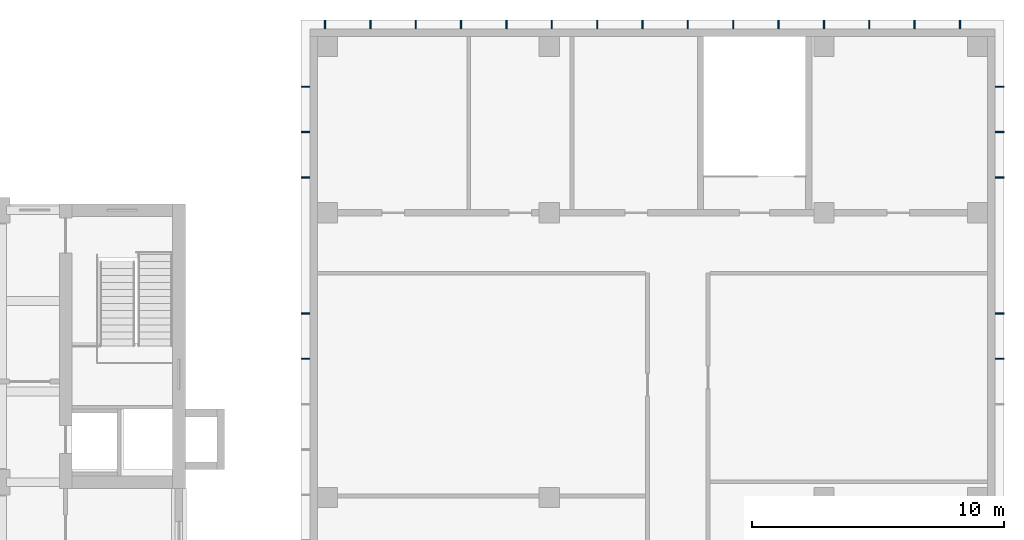
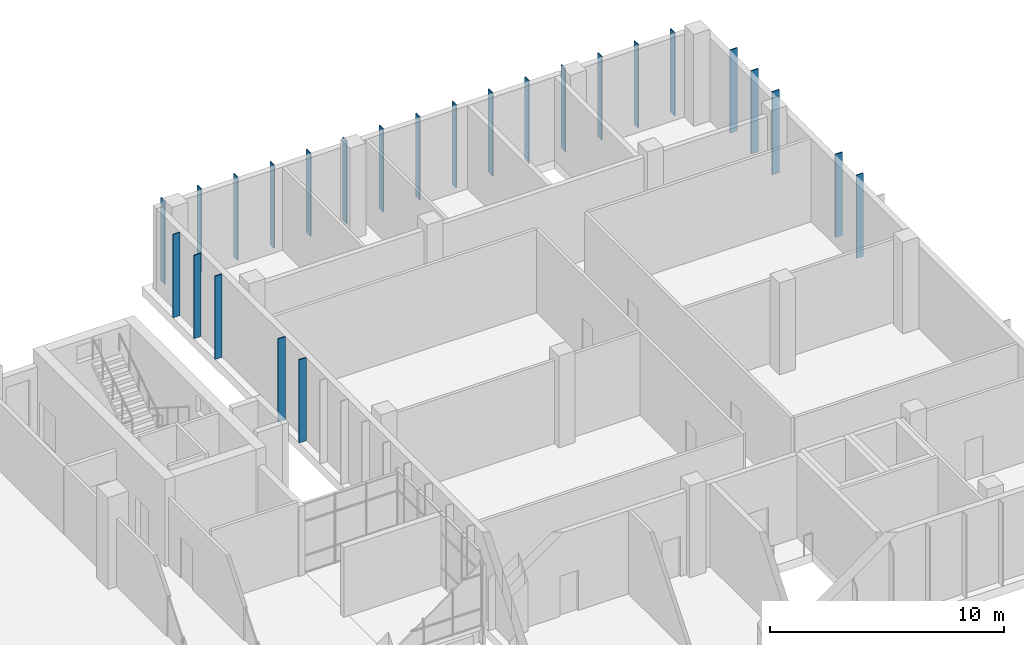
# One storey, part 23 of 45: 25 members.
"""IFC4 building model written with IfcOpenShell, lengths in metres."""

import ifcopenshell
import ifcopenshell.guid

model = None  # the IFC model being written
_history = None  # IfcOwnerHistory: only IFC2X3 demands one
_inside = {}  # id of a spatial element -> (the spatial element, [elements in it])
_under = {}  # id of a project, library or spatial element -> (it, [spatial elements below it])
_declared = {}  # id of a project -> (the project, [libraries it declares])
_typed = {}  # id of a type object -> (the type object, [elements of that type])
_made_of = {}  # id of a material, layer set ... -> (it, [elements and type objects made of it])


def new_model(schema):
    """Start an empty IFC model of exactly this schema.

    Asked for "IFC4X3", IfcOpenShell would pick the latest addendum, in which some entities
    have other attributes; the version numbers below select the first issue.
    IFC2X3 requires an IfcOwnerHistory on every rooted entity: one is made here for all.
    """
    global model, _history
    if schema == "IFC4X3":
        model = ifcopenshell.file(schema_version=(4, 3, 0, 0))
    else:
        model = ifcopenshell.file(schema=schema)
    _inside.clear()
    _under.clear()
    _declared.clear()
    _typed.clear()
    _made_of.clear()
    _history = None
    if model.schema == "IFC2X3":
        org = make("IfcOrganization", Name="unknown")
        user = make(
            "IfcPersonAndOrganization",
            ThePerson=make("IfcPerson", FamilyName="unknown"),
            TheOrganization=org,
        )
        app = make(
            "IfcApplication",
            ApplicationDeveloper=org,
            Version="unknown",
            ApplicationFullName="unknown",
            ApplicationIdentifier="unknown",
        )
        _history = make(
            "IfcOwnerHistory",
            OwningUser=user,
            OwningApplication=app,
            ChangeAction="ADDED",
            CreationDate=0,
        )
    return model


def make(cls, **values):
    """One entity of the class cls with the attributes given. An attribute that is None is left unset."""
    return model.create_entity(
        cls, **{name: value for name, value in values.items() if value is not None}
    )


def rooted(cls, **values):
    """An entity with a GlobalId (a new one), such as an element, a storey or a relation."""
    return make(cls, GlobalId=ifcopenshell.guid.new(), OwnerHistory=_history, **values)


def si_unit(unit_type, name, prefix=None):
    """IfcSIUnit, for example si_unit("LENGTHUNIT", "METRE", prefix="MILLI")."""
    return make("IfcSIUnit", UnitType=unit_type, Prefix=prefix, Name=name)


def assignment(units):
    """IfcUnitAssignment: the units of a project."""
    return None if units is None else make("IfcUnitAssignment", Units=units)


def point(xyz):
    """IfcCartesianPoint."""
    return None if xyz is None else make("IfcCartesianPoint", Coordinates=xyz)


def direction(xyz):
    """IfcDirection."""
    return None if xyz is None else make("IfcDirection", DirectionRatios=xyz)


def frame(location, z_axis=None, x_axis=None):
    """IfcAxis2Placement3D, a coordinate frame: its origin and axes. An axis left out is left unset."""
    return make(
        "IfcAxis2Placement3D",
        Location=point(location),
        Axis=direction(z_axis),
        RefDirection=direction(x_axis),
    )


def frame_2d(location, x_axis=None):
    """IfcAxis2Placement2D, a coordinate frame in the plane: its origin and x axis."""
    return make(
        "IfcAxis2Placement2D", Location=point(location), RefDirection=direction(x_axis)
    )


def origin():
    """The frame at (0, 0, 0) with its axes left unset."""
    return frame((0.0, 0.0, 0.0))


def origin_2d():
    """The frame at (0, 0) in the plane with its x axis left unset."""
    return frame_2d((0.0, 0.0))


def place(relative_to, where):
    """IfcLocalPlacement: puts the frame where relative to a parent placement (None: the world)."""
    return make(
        "IfcLocalPlacement", PlacementRelTo=relative_to, RelativePlacement=where
    )


def context(
    kind, dimensions, precision=None, world=None, true_north=None, identifier=None
):
    """IfcGeometricRepresentationContext, for example the 3D "Model" context."""
    return make(
        "IfcGeometricRepresentationContext",
        ContextIdentifier=identifier,
        ContextType=kind,
        CoordinateSpaceDimension=dimensions,
        Precision=precision,
        WorldCoordinateSystem=world,
        TrueNorth=true_north,
    )


def subcontext(parent, identifier, kind, view, scale=None):
    """IfcGeometricRepresentationSubContext, for example "Body" below "Model"."""
    return make(
        "IfcGeometricRepresentationSubContext",
        ContextIdentifier=identifier,
        ContextType=kind,
        ParentContext=parent,
        TargetScale=scale,
        TargetView=view,
    )


def project(units=None, contexts=None):
    """IfcProject with its units and contexts."""
    return rooted(
        "IfcProject",
        Name="project",
        RepresentationContexts=contexts,
        UnitsInContext=assignment(units),
    )


def spatial(cls, under=None, at=None, **own):
    """A site, building, storey or space (cls), placed at a placement, below another one or the project."""
    s = rooted(cls, ObjectPlacement=at, **own)
    if under is not None:
        _under.setdefault(under.id(), (under, []))[1].append(s)
    return s


def profile(cls, at=None, kind="AREA", **sizes):
    """A parametric profile (cls). Its sizes go by their IFC names, for example OverallWidth=200.0."""
    return make(cls, ProfileType=kind, Position=at, **sizes)


def rectangle(**sizes):
    """IfcRectangleProfileDef."""
    return profile("IfcRectangleProfileDef", **sizes)


def extrude(swept, where, along, depth):
    """IfcExtrudedAreaSolid: the profile swept, set in the frame where, extruded along a direction by depth."""
    return make(
        "IfcExtrudedAreaSolid",
        SweptArea=swept,
        Position=where,
        ExtrudedDirection=direction(along),
        Depth=depth,
    )


def shape(context_of_items, identifier, shape_type, items):
    """IfcShapeRepresentation: the items that make up one representation, for example the "Body"."""
    return make(
        "IfcShapeRepresentation",
        ContextOfItems=context_of_items,
        RepresentationIdentifier=identifier,
        RepresentationType=shape_type,
        Items=items,
    )


def material(Name=None, Category=None):
    """IfcMaterial."""
    return make("IfcMaterial", Name=Name, Category=Category)


def material_profile(
    of_material, cross_section, Name=None, Category=None, Priority=None
):
    """IfcMaterialProfile: a cross section and its material."""
    return make(
        "IfcMaterialProfile",
        Name=Name,
        Material=of_material,
        Profile=cross_section,
        Priority=Priority,
        Category=Category,
    )


def profile_set(profiles, Name=None, composite=None):
    """IfcMaterialProfileSet."""
    return make(
        "IfcMaterialProfileSet",
        Name=Name,
        MaterialProfiles=profiles,
        CompositeProfile=composite,
    )


def made_of(thing, what):
    """Note that an element or type object is made of a material, layer set ...; save() writes the relation."""
    if what is not None:
        _made_of.setdefault(what.id(), (what, []))[1].append(thing)
    return thing


def type_object(cls, material=None, **own):
    """A type object (cls), such as IfcWallType, which elements share."""
    return made_of(rooted(cls, **own), material)


def element(
    cls,
    number,
    at=None,
    inside=None,
    cuts=None,
    type_object=None,
    material=None,
    context=None,
    identifier="Body",
    shape_type=None,
    held_by="IfcProductDefinitionShape",
    body=None,
    shapes=None,
    **own,
):
    """One element of the class cls, such as IfcWall. Its Tag is "e" and its number.

    at: its placement. inside: the storey or other place that contains it. cuts: it is an
    opening in that element (IfcRelVoidsElement). A single representation is given by context,
    identifier, shape_type and body (its items); several are given by shapes. held_by: the class
    of the entity that holds the representations. save() writes the other relations.
    """
    e = rooted(cls, Tag="e%d" % number, ObjectPlacement=at, **own)
    if body is not None:
        shapes = [shape(context, identifier, shape_type, body)]
    if shapes is not None:
        e.Representation = make(held_by, Representations=shapes)
    if inside is not None:
        _inside.setdefault(inside.id(), (inside, []))[1].append(e)
    if cuts is not None:
        rooted(
            "IfcRelVoidsElement", RelatingBuildingElement=cuts, RelatedOpeningElement=e
        )
    if type_object is not None:
        _typed.setdefault(type_object.id(), (type_object, []))[1].append(e)
    return made_of(e, material)


def aggregate(whole, parts):
    """IfcRelAggregates: a whole, such as a stair, and the parts it consists of."""
    return rooted("IfcRelAggregates", RelatingObject=whole, RelatedObjects=parts)


def save(model, path):
    """Write the relations noted so far, then the file.

    IfcRelAggregates (storeys below a building ...), IfcRelContainedInSpatialStructure (elements
    in a storey), IfcRelDefinesByType, IfcRelAssociatesMaterial and IfcRelDeclares: one each for
    every whole, place, type object, material and project.
    """
    for whole, parts in _under.values():
        aggregate(whole, parts)
    for where, things in _inside.values():
        rooted(
            "IfcRelContainedInSpatialStructure",
            RelatedElements=things,
            RelatingStructure=where,
        )
    for kind, things in _typed.values():
        rooted("IfcRelDefinesByType", RelatedObjects=things, RelatingType=kind)
    for what, things in _made_of.values():
        rooted("IfcRelAssociatesMaterial", RelatedObjects=things, RelatingMaterial=what)
    for by, libraries in _declared.values():
        rooted("IfcRelDeclares", RelatingContext=by, RelatedDefinitions=libraries)
    model.write(path)


model = new_model("IFC4")

# Units and contexts
model_context = context("Model", 3, precision=1e-05, world=origin(), true_north=direction((0.0, 1.0)))
body_context = subcontext(model_context, "Body", "Model", "MODEL_VIEW")
ifc_project = project(units=[si_unit("LENGTHUNIT", "METRE"), si_unit("AREAUNIT", "SQUARE_METRE"), si_unit("VOLUMEUNIT", "CUBIC_METRE"), si_unit("PLANEANGLEUNIT", "RADIAN"), si_unit("MASSUNIT", "GRAM", prefix="KILO")], contexts=[model_context])

# Site, building, storey
site_placement = place(None, origin())
site = spatial("IfcSite", under=ifc_project, at=site_placement, CompositionType="ELEMENT")
building_placement = place(site_placement, origin())
building = spatial("IfcBuilding", under=site, at=building_placement, Name="Basin Gate Institute", CompositionType="ELEMENT")
storey_placement = place(building_placement, frame((0.0, 0.0, 22.199951171875)))
storey = spatial("IfcBuildingStorey", under=building, at=storey_placement, Name="L04", CompositionType="ELEMENT", Elevation=22.199951171875)

# Members
ifc_material = material(Name="Anodised aluminium", Category="aluminium")
ifc_material_profile = material_profile(ifc_material, rectangle(XDim=0.050048828125, YDim=0.35009765625, at=origin_2d()), Name="Louvre fin CF1 50 x 350")
ifc_profile_set = profile_set([ifc_material_profile], Name="Anodised aluminium")
member_type = type_object("IfcMemberType", Name="Louvre fin CF1", PredefinedType="PLATE", material=ifc_profile_set)
for number, where, z_axis, x_axis, name in (
    (1, (124.60009765625, 107.27490234375, 0.0), (0.0, 0.0, 1.0), (1.0, 0.0, 0.0), "Louvre fin CF1 N1 L04"),
    (2, (126.39990234375, 107.27490234375, 0.0), (0.0, 0.0, 1.0), (1.0, 0.0, 0.0), "Louvre fin CF1 N2 L04"),
    (3, (128.199951171875, 107.27490234375, 0.0), (0.0, 0.0, 1.0), (1.0, 0.0, 0.0), "Louvre fin CF1 N3 L04"),
    (4, (130.0, 107.27490234375, 0.0), (0.0, 0.0, 1.0), (1.0, 0.0, 0.0), "Louvre fin CF1 N4 L04"),
    (5, (131.800048828125, 107.27490234375, 0.0), (0.0, 0.0, 1.0), (1.0, 0.0, 0.0), "Louvre fin CF1 N5 L04"),
    (6, (133.60009765625, 107.27490234375, 0.0), (0.0, 0.0, 1.0), (1.0, 0.0, 0.0), "Louvre fin CF1 N6 L04"),
    (7, (135.39990234375, 107.27490234375, 0.0), (0.0, 0.0, 1.0), (1.0, 0.0, 0.0), "Louvre fin CF1 N7 L04"),
    (8, (137.199951171875, 107.27490234375, 0.0), (0.0, 0.0, 1.0), (1.0, 0.0, 0.0), "Louvre fin CF1 N8 L04"),
    (9, (139.0, 107.27490234375, 0.0), (0.0, 0.0, 1.0), (1.0, 0.0, 0.0), "Louvre fin CF1 N9 L04"),
    (10, (140.800048828125, 107.27490234375, 0.0), (0.0, 0.0, 1.0), (1.0, 0.0, 0.0), "Louvre fin CF1 N10 L04"),
    (11, (142.60009765625, 107.27490234375, 0.0), (0.0, 0.0, 1.0), (1.0, 0.0, 0.0), "Louvre fin CF1 N11 L04"),
    (12, (144.39990234375, 107.27490234375, 0.0), (0.0, 0.0, 1.0), (1.0, 0.0, 0.0), "Louvre fin CF1 N12 L04"),
    (13, (146.199951171875, 107.27490234375, 0.0), (0.0, 0.0, 1.0), (1.0, 0.0, 0.0), "Louvre fin CF1 N13 L04"),
    (14, (148.0, 107.27490234375, 0.0), (0.0, 0.0, 1.0), (1.0, 0.0, 0.0), "Louvre fin CF1 N14 L04"),
    (15, (149.800048828125, 107.27490234375, 0.0), (0.0, 0.0, 1.0), (1.0, 0.0, 0.0), "Louvre fin CF1 N15 L04"),
    (16, (123.824951171875, 94.0, 0.0), (0.0, 0.0, 1.0), (0.0, 1.0, 0.0), "Louvre fin CF1 W14 L04"),
    (17, (123.824951171875, 95.800048828125, 0.0), (0.0, 0.0, 1.0), (0.0, 1.0, 0.0), "Louvre fin CF1 W15 L04"),
    (18, (123.824951171875, 101.199951171875, 0.0), (0.0, 0.0, 1.0), (0.0, 1.0, 0.0), "Louvre fin CF1 W18 L04"),
    (19, (123.824951171875, 103.0, 0.0), (0.0, 0.0, 1.0), (0.0, 1.0, 0.0), "Louvre fin CF1 W19 L04"),
    (20, (123.824951171875, 104.800048828125, 0.0), (0.0, 0.0, 1.0), (0.0, 1.0, 0.0), "Louvre fin CF1 W20 L04"),
    (21, (151.375, 94.0, 0.0), (0.0, 0.0, 1.0), (0.0, 1.0, 0.0), "Louvre fin CF1 E14 L04"),
    (22, (151.375, 95.800048828125, 0.0), (0.0, 0.0, 1.0), (0.0, 1.0, 0.0), "Louvre fin CF1 E15 L04"),
    (23, (151.375, 101.199951171875, 0.0), (0.0, 0.0, 1.0), (0.0, 1.0, 0.0), "Louvre fin CF1 E18 L04"),
    (24, (151.375, 103.0, 0.0), (0.0, 0.0, 1.0), (0.0, 1.0, 0.0), "Louvre fin CF1 E19 L04"),
    (25, (151.375, 104.800048828125, 0.0), (0.0, 0.0, 1.0), (0.0, 1.0, 0.0), "Louvre fin CF1 E20 L04"),
):
    element("IfcMember", number, at=place(storey_placement, frame(where, z_axis=z_axis, x_axis=x_axis)), inside=storey, type_object=member_type, material=ifc_profile_set, Name=name, PredefinedType="PLATE", context=body_context, shape_type="SweptSolid", body=[
        extrude(rectangle(XDim=0.050048828125, YDim=0.35009765625, at=origin_2d()), origin(), (0.0, 0.0, 1.0), 4.35009765625),
    ])

save(model, "model.ifc")
